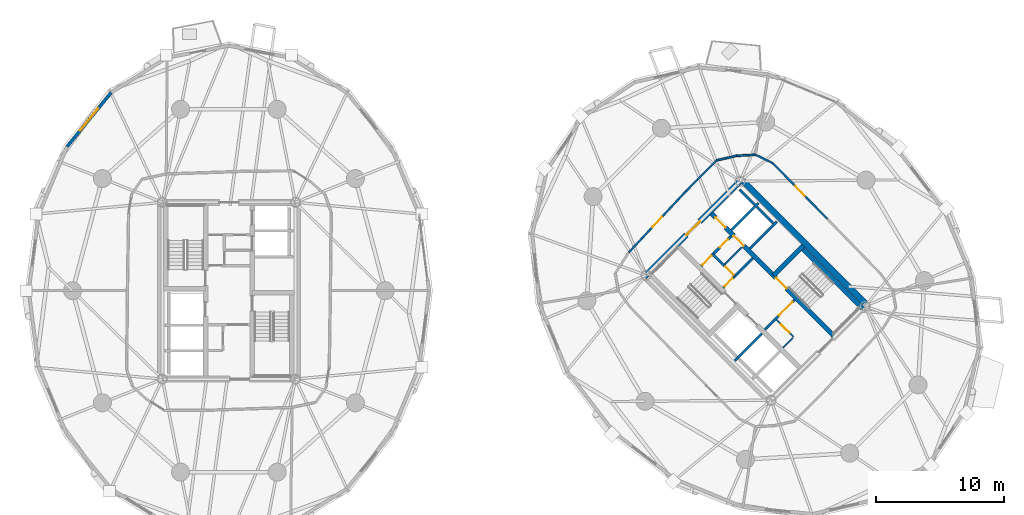
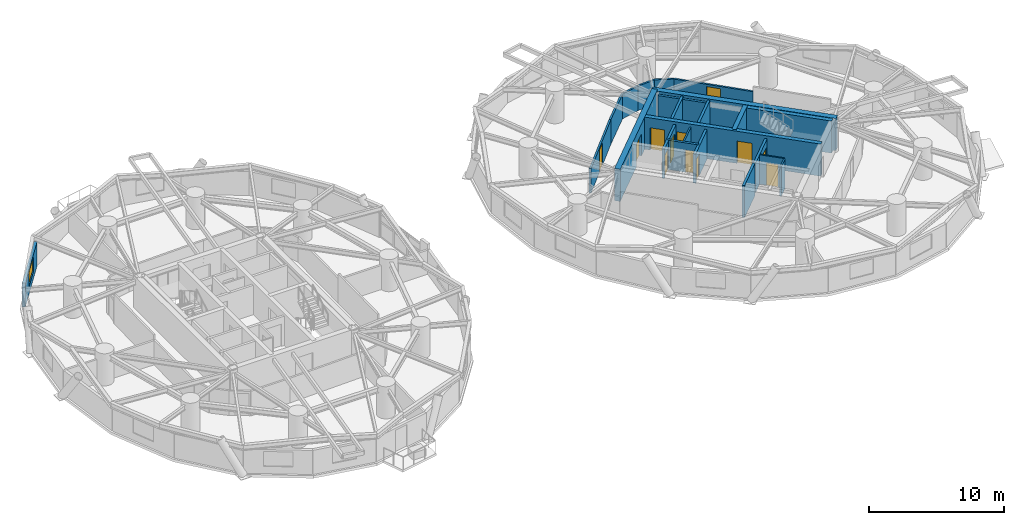
# One storey, part 13 of 18: 24 walls, 12 doors, 1 window, 13 openings.
"""IFC4 building model written with IfcOpenShell, lengths in metres."""

from ifc_helpers import new_model, si_unit, direction, frame, frame_2d, origin, place, context, subcontext, project, spatial, rectangle, extrude, source, transform, mapped, material, layer, layer_set, type_object, element, fill, save


model = new_model("IFC4")

# Units and contexts
model_context = context("Model", 3, precision=1e-05, world=origin(), true_north=direction((0.0, 1.0)))
body_context = subcontext(model_context, "Body", "Model", "MODEL_VIEW")
ifc_project = project(units=[si_unit("LENGTHUNIT", "METRE"), si_unit("AREAUNIT", "SQUARE_METRE"), si_unit("VOLUMEUNIT", "CUBIC_METRE"), si_unit("PLANEANGLEUNIT", "RADIAN"), si_unit("MASSUNIT", "GRAM", prefix="KILO")], contexts=[model_context])

# Site, building, storey
site_placement = place(None, origin())
site = spatial("IfcSite", under=ifc_project, at=site_placement, CompositionType="ELEMENT")
building_placement = place(site_placement, origin())
building = spatial("IfcBuilding", under=site, at=building_placement, Name="Cununo Teusaquillo Station Towers", CompositionType="ELEMENT")
storey_placement = place(building_placement, frame((0.0, 0.0, 75.969970703125)))
storey = spatial("IfcBuildingStorey", under=building, at=storey_placement, Name="L23", CompositionType="ELEMENT", Elevation=75.969970703125)

# Walls
ifc_material_1 = material(Name="Concrete C50/60", Category="concrete")
ifc_layer_1 = layer(ifc_material_1, 0.199951171875)
ifc_layer_set_1 = layer_set([ifc_layer_1], Name="Concrete C50/60")
wall_type_1 = type_object("IfcWallType", Name="WL-CORE-200", PredefinedType="SHEAR", material=ifc_layer_set_1)
for number, where, z_axis, x_axis, name in (
    (1, (55.8876953125, 19.0693359375, 0.0), (0.0, 0.0, 1.0), (0.707106781187, 0.707106781187, 0.0), "L23 Tower B Firefighting Lift Shaft South Shear Wall"),
    (2, (57.0615234375, 27.781005859375, 0.0), (0.0, 0.0, 1.0), (0.707106781187, 0.707106781187, 0.0), "L23 Tower B Low-Rise Lift Hoistway South Shear Wall"),
):
    element("IfcWall", number, at=place(storey_placement, frame(where, z_axis=z_axis, x_axis=x_axis)), inside=storey, type_object=wall_type_1, Name=name, PredefinedType="SHEAR", context=body_context, shape_type="SweptSolid", body=[
        extrude(rectangle(XDim=2.969970703125, YDim=0.199951171875, at=frame_2d((1.48486328125, 0.0))), origin(), (0.0, 0.0, 1.0), 2.909912109375),
    ])
wall_1_placement = place(storey_placement, frame((55.615478515625, 29.22705078125, 0.0), z_axis=(0.0, 0.0, 1.0), x_axis=(0.707147878904, 0.70706568108, 0.0)))
element("IfcWall", 3, at=wall_1_placement, inside=storey, type_object=wall_type_1, Name="L23 Tower B Low-Rise Lift Hoistway Divider Shear Wall", PredefinedType="SHEAR", context=body_context, shape_type="SweptSolid", body=[
    extrude(rectangle(XDim=2.97021484375, YDim=0.199951171875, at=frame_2d((1.485107421875, 0.0))), origin(), (0.0, 0.0, 1.0), 2.909912109375),
])
wall_2_placement = place(storey_placement, frame((58.86474609375, 29.75390625, 0.0), z_axis=(0.0, 0.0, 1.0), x_axis=(-0.707174411312, 0.707039144592, 0.0)))
element("IfcWall", 4, at=wall_2_placement, inside=storey, type_object=wall_type_1, Name="L23 Tower B Low-Rise Lift 1 Shaft Rear Shear Wall", PredefinedType="SHEAR", context=body_context, shape_type="SweptSolid", body=[
    extrude(rectangle(XDim=1.804931640625, YDim=0.199951171875, at=frame_2d((0.90234375, 0.0))), origin(), (0.0, 0.0, 1.0), 2.909912109375),
])
wall_3_placement = place(storey_placement, frame((57.418701171875, 31.19970703125, 0.0), z_axis=(0.0, 0.0, 1.0), x_axis=(-0.707032117043, 0.707181437447, 0.0)))
element("IfcWall", 5, at=wall_3_placement, inside=storey, type_object=wall_type_1, Name="L23 Tower B Low-Rise Lift 2 Shaft Rear Shear Wall", PredefinedType="SHEAR", context=body_context, shape_type="SweptSolid", body=[
    extrude(rectangle(XDim=1.635009765625, YDim=0.199951171875, at=frame_2d((0.8173828125, 0.0))), origin(), (0.0, 0.0, 1.0), 2.909912109375),
])

# Wall, openings, doors
ifc_material_2 = material(Name="Concrete C50/60", Category="concrete")
ifc_layer_2 = layer(ifc_material_2, 0.35009765625)
ifc_layer_set_2 = layer_set([ifc_layer_2], Name="Concrete C50/60")
wall_type_2 = type_object("IfcWallType", Name="WL-CORE-350", PredefinedType="SHEAR", material=ifc_layer_set_2)
wall_4_placement = place(storey_placement, frame((63.644775390625, 20.922119140625, 0.0), z_axis=(0.0, 0.0, 1.0), x_axis=(-0.707106781187, 0.707106781187, 0.0)))
wall_4 = element("IfcWall", 6, at=wall_4_placement, inside=storey, type_object=wall_type_2, Name="L23 Tower B Core Shear Wall IE", PredefinedType="SHEAR", context=body_context, shape_type="SweptSolid", body=[
    extrude(rectangle(XDim=13.75, YDim=0.35009765625, at=frame_2d((6.875, 0.0))), origin(), (0.0, 0.0, 1.0), 2.909912109375),
])
shared_shape_1 = source(origin(), body_context, "Body", "SweptSolid", [
    extrude(rectangle(XDim=1.10009765625, YDim=2.014892578125, at=frame_2d((0.550048828125, 1.00732421875))), frame((0.0, 0.18505859375, 0.0), z_axis=(0.0, -1.0, 0.0), x_axis=(1.0, 0.0, 0.0)), (0.0, 0.0, 1.0), 0.3701171875),
])
opening_1_placement = place(wall_4_placement, frame((10.0, 0.0, 0.0)))
opening_1 = element("IfcOpeningElement", 7, at=opening_1_placement, cuts=wall_4, Name="Opening LD-01", PredefinedType="OPENING", context=body_context, shape_type="MappedRepresentation", body=[
    mapped(shared_shape_1, transform((0.0, 0.0, 0.0), x_axis=(1.0, 0.0, 0.0), y_axis=(0.0, 1.0, 0.0), z_axis=(0.0, 0.0, 1.0), scale=1.0)),
])
opening_2_placement = place(wall_4_placement, frame((12.0, 0.0, 0.0)))
opening_2 = element("IfcOpeningElement", 8, at=opening_2_placement, cuts=wall_4, Name="Opening LD-01", PredefinedType="OPENING", context=body_context, shape_type="MappedRepresentation", body=[
    mapped(shared_shape_1, transform((0.0, 0.0, 0.0), x_axis=(1.0, 0.0, 0.0), y_axis=(0.0, 1.0, 0.0), z_axis=(0.0, 0.0, 1.0), scale=1.0)),
])
shared_shape_2 = source(origin(), body_context, "Body", "SweptSolid", [
    extrude(rectangle(XDim=1.14990234375, YDim=2.02001953125, at=frame_2d((0.574951171875, 1.010009765625))), frame((0.0, 0.18505859375, 0.0), z_axis=(0.0, -1.0, 0.0), x_axis=(1.0, 0.0, 0.0)), (0.0, 0.0, 1.0), 0.3701171875),
])
opening_3_placement = place(wall_4_placement, frame((5.304931640625, 0.0, 0.0)))
opening_3 = element("IfcOpeningElement", 9, at=opening_3_placement, cuts=wall_4, Name="Opening D-ST1", PredefinedType="OPENING", context=body_context, shape_type="MappedRepresentation", body=[
    mapped(shared_shape_2, transform((0.0, 0.0, 0.0), x_axis=(1.0, 0.0, 0.0), y_axis=(0.0, 1.0, 0.0), z_axis=(0.0, 0.0, 1.0), scale=1.0)),
])
ifc_material_3 = material(Name="Galvanised fire-rated hollow steel door assembly", Category="steel")
door_type_1 = type_object("IfcDoorType", Name="DR-LIFT-1100", OperationType="SLIDING_TO_LEFT", PredefinedType="DOOR", material=ifc_material_3)
shared_shape_3 = source(origin(), body_context, "Body", "SweptSolid", [
    extrude(rectangle(XDim=1.10009765625, YDim=2.014892578125, at=frame_2d((0.550048828125, 1.00732421875))), frame((0.0, 0.02490234375, 0.0), z_axis=(0.0, -1.0, 0.0), x_axis=(1.0, 0.0, 0.0)), (0.0, 0.0, 1.0), 0.050048828125),
])
door_1_placement = place(opening_1_placement, origin())
door_1 = element("IfcDoor", 10, at=door_1_placement, inside=storey, type_object=door_type_1, Name="L23 Lift PL-T2-L1 Sliding Landing Door", OperationType="SLIDING_TO_LEFT", OverallHeight=2.014892578125, OverallWidth=1.10009765625, PredefinedType="DOOR", context=body_context, shape_type="MappedRepresentation", body=[
    mapped(shared_shape_3, transform((0.0, 0.0, 0.0), x_axis=(1.0, 0.0, 0.0), y_axis=(0.0, 1.0, 0.0), z_axis=(0.0, 0.0, 1.0), scale=1.0)),
])
fill(opening_1, door_1)
door_2_placement = place(opening_2_placement, origin())
door_2 = element("IfcDoor", 11, at=door_2_placement, inside=storey, type_object=door_type_1, Name="L23 Lift PL-T2-L2 Sliding Landing Door", OperationType="SLIDING_TO_RIGHT", OverallHeight=2.014892578125, OverallWidth=1.10009765625, PredefinedType="DOOR", context=body_context, shape_type="MappedRepresentation", body=[
    mapped(shared_shape_3, transform((0.0, 0.0, 0.0), x_axis=(1.0, 0.0, 0.0), y_axis=(0.0, 1.0, 0.0), z_axis=(0.0, 0.0, 1.0), scale=1.0)),
])
fill(opening_2, door_2)
ifc_material_4 = material(Name="Galvanised fire-rated hollow steel door assembly", Category="steel")
door_type_2 = type_object("IfcDoorType", Name="DR-STAIR-1150", OperationType="NOTDEFINED", PredefinedType="DOOR", material=ifc_material_4)
shared_shape_4 = source(origin(), body_context, "Body", "SweptSolid", [
    extrude(rectangle(XDim=1.14990234375, YDim=2.02001953125, at=frame_2d((0.574951171875, 1.010009765625))), frame((0.0, 0.02490234375, 0.0), z_axis=(0.0, -1.0, 0.0), x_axis=(1.0, 0.0, 0.0)), (0.0, 0.0, 1.0), 0.050048828125),
])
door_3_placement = place(opening_3_placement, origin())
door_3 = element("IfcDoor", 12, at=door_3_placement, inside=storey, type_object=door_type_2, Name="L23 Tower B Exit Stair 2 Fire Door", OperationType="SINGLE_SWING_LEFT", OverallHeight=2.02001953125, OverallWidth=1.14990234375, PredefinedType="DOOR", context=body_context, shape_type="MappedRepresentation", body=[
    mapped(shared_shape_4, transform((0.0, 0.0, 0.0), x_axis=(1.0, 0.0, 0.0), y_axis=(0.0, 1.0, 0.0), z_axis=(0.0, 0.0, 1.0), scale=1.0)),
])
fill(opening_3, door_3)

# Walls
wall_5_placement = place(storey_placement, frame((65.82958984375, 23.10693359375, 0.0), z_axis=(0.0, 0.0, 1.0), x_axis=(-0.707088616009, 0.707124945897, 0.0)))
element("IfcWall", 13, at=wall_5_placement, inside=storey, type_object=wall_type_2, Name="L23 Tower B Core Shear Wall ST2E", PredefinedType="SHEAR", context=body_context, shape_type="SweptSolid", body=[
    extrude(rectangle(XDim=6.72021484375, YDim=0.35009765625, at=frame_2d((3.360107421875, 0.0))), origin(), (0.0, 0.0, 1.0), 2.909912109375),
])
wall_6_placement = place(storey_placement, frame((58.89306640625, 25.673828125, 0.0), z_axis=(0.0, 0.0, 1.0), x_axis=(0.707106781187, 0.707106781187, 0.0)))
element("IfcWall", 14, at=wall_6_placement, inside=storey, type_object=wall_type_2, Name="L23 Tower B Core Shear Wall ST2N", PredefinedType="SHEAR", context=body_context, shape_type="SweptSolid", body=[
    extrude(rectangle(XDim=3.284912109375, YDim=0.35009765625, at=frame_2d((1.642578125, 0.0))), origin(), (0.0, 0.0, 1.0), 2.909912109375),
])
ifc_material_5 = material(Name="Concrete C60/75", Category="concrete")
ifc_layer_3 = layer(ifc_material_5, 0.449951171875)
ifc_layer_set_3 = layer_set([ifc_layer_3], Name="Concrete C60/75")
wall_type_3 = type_object("IfcWallType", Name="WL-CORE-450", PredefinedType="SHEAR", material=ifc_layer_set_3)
wall_7_placement = place(storey_placement, frame((66.303466796875, 23.2626953125, 0.0), z_axis=(0.0, 0.0, 1.0), x_axis=(-0.707106781187, 0.707106781187, 0.0)))
element("IfcWall", 15, at=wall_7_placement, inside=storey, type_object=wall_type_3, Name="L23 Tower B Core Shear Wall E", PredefinedType="SHEAR", context=body_context, shape_type="SweptSolid", body=[
    extrude(rectangle(XDim=14.19970703125, YDim=0.449951171875, at=frame_2d((7.099853515625, 0.0))), origin(), (0.0, 0.0, 1.0), 2.909912109375),
])

# Wall, opening, door
wall_8_placement = place(storey_placement, frame((48.855712890625, 25.578369140625, 0.0), z_axis=(0.0, 0.0, 1.0), x_axis=(0.707106781187, 0.707106781187, 0.0)))
wall_8 = element("IfcWall", 16, at=wall_8_placement, inside=storey, type_object=wall_type_3, Name="L23 Tower B Core Shear Wall N", PredefinedType="SHEAR", context=body_context, shape_type="SweptSolid", body=[
    extrude(rectangle(XDim=10.69970703125, YDim=0.449951171875, at=frame_2d((5.349853515625, 0.0))), origin(), (0.0, 0.0, 1.0), 2.909912109375),
])
shared_shape_5 = source(origin(), body_context, "Body", "SweptSolid", [
    extrude(rectangle(XDim=1.5, YDim=2.02001953125, at=frame_2d((0.75, 1.010009765625))), frame((0.0, 0.23486328125, 0.0), z_axis=(0.0, -1.0, 0.0), x_axis=(1.0, 0.0, 0.0)), (0.0, 0.0, 1.0), 0.469970703125),
])
opening_4_placement = place(wall_8_placement, frame((4.60009765625, 0.0, 0.0)))
opening_4 = element("IfcOpeningElement", 17, at=opening_4_placement, cuts=wall_8, Name="Opening D-LB1", PredefinedType="OPENING", context=body_context, shape_type="MappedRepresentation", body=[
    mapped(shared_shape_5, transform((0.0, 0.0, 0.0), x_axis=(1.0, 0.0, 0.0), y_axis=(0.0, 1.0, 0.0), z_axis=(0.0, 0.0, 1.0), scale=1.0)),
])
ifc_material_6 = material(Name="Galvanised fire-rated hollow steel door assembly", Category="steel")
door_type_3 = type_object("IfcDoorType", Name="DR-LOBBY-1500", OperationType="DOUBLE_DOOR_SINGLE_SWING", PredefinedType="DOOR", material=ifc_material_6)
shared_shape_6 = source(origin(), body_context, "Body", "SweptSolid", [
    extrude(rectangle(XDim=1.5, YDim=2.02001953125, at=frame_2d((0.75, 1.010009765625))), frame((0.0, 0.02490234375, 0.0), z_axis=(0.0, -1.0, 0.0), x_axis=(1.0, 0.0, 0.0)), (0.0, 0.0, 1.0), 0.050048828125),
])
door_4_placement = place(opening_4_placement, origin())
door_4 = element("IfcDoor", 18, at=door_4_placement, inside=storey, type_object=door_type_3, Name="L23 Tower B North Core Lift Lobby Door", OperationType="DOUBLE_DOOR_SINGLE_SWING", OverallHeight=2.02001953125, OverallWidth=1.5, PredefinedType="DOOR", context=body_context, shape_type="MappedRepresentation", body=[
    mapped(shared_shape_6, transform((0.0, 0.0, 0.0), x_axis=(1.0, 0.0, 0.0), y_axis=(0.0, 1.0, 0.0), z_axis=(0.0, 0.0, 1.0), scale=1.0)),
])
fill(opening_4, door_4)

# Wall, opening, window
ifc_material_7 = material(Name="Precast concrete C40/50", Category="concrete")
ifc_layer_4 = layer(ifc_material_7, 0.239990234375)
ifc_layer_set_4 = layer_set([ifc_layer_4], Name="Precast concrete C40/50")
wall_type_4 = type_object("IfcWallType", Name="WL-EXT-240", PredefinedType="SOLIDWALL", material=ifc_layer_set_4)
wall_9_placement = place(storey_placement, frame((3.894775390625, 35.708984375, 0.0), z_axis=(0.0, 0.0, 1.0), x_axis=(0.632700781152, 0.77439635945, 0.0)))
wall_9 = element("IfcWall", 19, at=wall_9_placement, inside=storey, type_object=wall_type_4, Name="L23 Tower A Exterior Facade Wall C07", PredefinedType="SOLIDWALL", context=body_context, shape_type="SweptSolid", body=[
    extrude(rectangle(XDim=5.447998046875, YDim=0.239990234375, at=frame_2d((2.72412109375, 0.0))), origin(), (0.0, 0.0, 1.0), 2.178955078125),
])
shared_shape_7 = source(origin(), body_context, "Body", "SweptSolid", [
    extrude(rectangle(XDim=2.199951171875, YDim=1.35009765625, at=frame_2d((1.10009765625, 0.675048828125))), frame((0.0, 0.1298828125, 0.0), z_axis=(0.0, -1.0, 0.0), x_axis=(1.0, 0.0, 0.0)), (0.0, 0.0, 1.0), 0.260009765625),
])
opening_5_placement = place(wall_9_placement, frame((1.6240234375, 0.0, 0.64990234375)))
opening_5 = element("IfcOpeningElement", 20, at=opening_5_placement, cuts=wall_9, Name="Opening WN-01", PredefinedType="OPENING", context=body_context, shape_type="MappedRepresentation", body=[
    mapped(shared_shape_7, transform((0.0, 0.0, 0.0), x_axis=(1.0, 0.0, 0.0), y_axis=(0.0, 1.0, 0.0), z_axis=(0.0, 0.0, 1.0), scale=1.0)),
])
ifc_material_8 = material(Name="Ceramic-fritted dark low-E double glazing", Category="glass")
window_type = type_object("IfcWindowType", Name="WIN-FRIT-2200", PartitioningType="DOUBLE_PANEL_VERTICAL", PredefinedType="WINDOW", material=ifc_material_8)
shared_shape_8 = source(origin(), body_context, "Body", "SweptSolid", [
    extrude(rectangle(XDim=2.199951171875, YDim=1.35009765625, at=frame_2d((1.10009765625, 0.675048828125))), frame((0.0, 0.030029296875, 0.0), z_axis=(0.0, -1.0, 0.0), x_axis=(1.0, 0.0, 0.0)), (0.0, 0.0, 1.0), 0.06005859375),
])
window_placement = place(opening_5_placement, origin())
window = element("IfcWindow", 21, at=window_placement, inside=storey, type_object=window_type, Name="L23 Tower A Facade Window C07", OverallHeight=1.35009765625, OverallWidth=2.199951171875, PartitioningType="DOUBLE_PANEL_VERTICAL", PredefinedType="WINDOW", context=body_context, shape_type="MappedRepresentation", body=[
    mapped(shared_shape_8, transform((0.0, 0.0, 0.0), x_axis=(1.0, 0.0, 0.0), y_axis=(0.0, 1.0, 0.0), z_axis=(0.0, 0.0, 1.0), scale=1.0)),
])
fill(opening_5, window)

# Wall, opening, door
ifc_material_9 = material(Name="Fire-rated gypsum plasterboard partition assembly", Category="gypsum")
ifc_layer_5 = layer(ifc_material_9, 0.125)
ifc_layer_set_5 = layer_set([ifc_layer_5], Name="Fire-rated gypsum plasterboard partition assembly")
wall_type_5 = type_object("IfcWallType", Name="WL-PART-125", PredefinedType="PARTITIONING", material=ifc_layer_set_5)
wall_10_placement = place(storey_placement, frame((60.448486328125, 20.9150390625, 0.0), z_axis=(0.0, 0.0, 1.0), x_axis=(-0.707106781187, 0.707106781187, 0.0)))
wall_10 = element("IfcWall", 22, at=wall_10_placement, inside=storey, type_object=wall_type_5, Name="L23 Tower B North-West Lobby Store East Wall", PredefinedType="PARTITIONING", context=body_context, shape_type="SweptSolid", body=[
    extrude(rectangle(XDim=1.869873046875, YDim=0.125, at=frame_2d((0.93505859375, 0.0))), origin(), (0.0, 0.0, 1.0), 2.655029296875),
])
shared_shape_9 = source(origin(), body_context, "Body", "SweptSolid", [
    extrude(rectangle(XDim=0.89990234375, YDim=2.0048828125, at=frame_2d((0.449951171875, 1.00244140625))), frame((0.0, 0.072509765625, 0.0), z_axis=(0.0, -1.0, 0.0), x_axis=(1.0, 0.0, 0.0)), (0.0, 0.0, 1.0), 0.14501953125),
])
opening_6_placement = place(wall_10_placement, frame((0.449951171875, 0.0, 0.0)))
opening_6 = element("IfcOpeningElement", 23, at=opening_6_placement, cuts=wall_10, Name="Opening D-SR1", PredefinedType="OPENING", context=body_context, shape_type="MappedRepresentation", body=[
    mapped(shared_shape_9, transform((0.0, 0.0, 0.0), x_axis=(1.0, 0.0, 0.0), y_axis=(0.0, 1.0, 0.0), z_axis=(0.0, 0.0, 1.0), scale=1.0)),
])
ifc_material_10 = material(Name="Galvanised fire-rated hollow steel door assembly", Category="steel")
door_type_4 = type_object("IfcDoorType", Name="DR-STORE-900", OperationType="NOTDEFINED", PredefinedType="DOOR", material=ifc_material_10)
shared_shape_10 = source(origin(), body_context, "Body", "SweptSolid", [
    extrude(rectangle(XDim=0.89990234375, YDim=2.0048828125, at=frame_2d((0.449951171875, 1.00244140625))), frame((0.0, 0.02490234375, 0.0), z_axis=(0.0, -1.0, 0.0), x_axis=(1.0, 0.0, 0.0)), (0.0, 0.0, 1.0), 0.050048828125),
])
door_5_placement = place(opening_6_placement, origin())
door_5 = element("IfcDoor", 24, at=door_5_placement, inside=storey, type_object=door_type_4, Name="L23 Tower B South Lobby Data Store Door", OperationType="SINGLE_SWING_RIGHT", OverallHeight=2.0048828125, OverallWidth=0.89990234375, PredefinedType="DOOR", context=body_context, shape_type="MappedRepresentation", body=[
    mapped(shared_shape_10, transform((0.0, 0.0, 0.0), x_axis=(1.0, 0.0, 0.0), y_axis=(0.0, 1.0, 0.0), z_axis=(0.0, 0.0, 1.0), scale=1.0)),
])
fill(opening_6, door_5)

# Walls
wall_11_placement = place(storey_placement, frame((59.642578125, 20.06640625, 0.0), z_axis=(0.0, 0.0, 1.0), x_axis=(0.707106781187, 0.707106781187, 0.0)))
element("IfcWall", 25, at=wall_11_placement, inside=storey, type_object=wall_type_5, Name="L23 Tower B North-West Lobby Store South Wall", PredefinedType="PARTITIONING", context=body_context, shape_type="SweptSolid", body=[
    extrude(rectangle(XDim=1.10009765625, YDim=0.125, at=frame_2d((0.550048828125, 0.0))), origin(), (0.0, 0.0, 1.0), 2.655029296875),
])
wall_12_placement = place(storey_placement, frame((55.0888671875, 26.54345703125, 0.0), z_axis=(0.0, 0.0, 1.0), x_axis=(0.707106781187, 0.707106781187, 0.0)))
element("IfcWall", 26, at=wall_12_placement, inside=storey, type_object=wall_type_5, Name="L23 Tower B Core Horizontal Split Wall", PredefinedType="PARTITIONING", context=body_context, shape_type="SweptSolid", body=[
    extrude(rectangle(XDim=1.8798828125, YDim=0.125, at=frame_2d((0.93994140625, 0.0))), origin(), (0.0, 0.0, 1.0), 2.655029296875),
])

# Wall, opening, door
ifc_material_11 = material(Name="Fire-rated gypsum plasterboard partition assembly", Category="gypsum")
ifc_layer_6 = layer(ifc_material_11, 0.14990234375)
ifc_layer_set_6 = layer_set([ifc_layer_6], Name="Fire-rated gypsum plasterboard partition assembly")
wall_type_6 = type_object("IfcWallType", Name="WL-PART-150", PredefinedType="PARTITIONING", material=ifc_layer_set_6)
wall_13_placement = place(storey_placement, frame((63.086181640625, 30.086181640625, 0.0), z_axis=(0.0, 0.0, 1.0), x_axis=(-0.699032802832, 0.715089603172, 0.0)))
wall_13 = element("IfcWall", 27, at=wall_13_placement, inside=storey, type_object=wall_type_6, Name="L23 Tower B Corridor Ring Wall C00", PredefinedType="PARTITIONING", context=body_context, shape_type="SweptSolid", body=[
    extrude(rectangle(XDim=6.08203125, YDim=0.14990234375, at=frame_2d((3.041015625, 0.0))), origin(), (0.0, 0.0, 1.0), 2.22509765625),
])
shared_shape_11 = source(origin(), body_context, "Body", "SweptSolid", [
    extrude(rectangle(XDim=1.050048828125, YDim=2.014892578125, at=frame_2d((0.52490234375, 1.00732421875))), frame((0.0, 0.0849609375, 0.0), z_axis=(0.0, -1.0, 0.0), x_axis=(1.0, 0.0, 0.0)), (0.0, 0.0, 1.0), 0.169921875),
])
opening_7_placement = place(wall_13_placement, frame((2.51611328125, 0.0, 0.0)))
opening_7 = element("IfcOpeningElement", 28, at=opening_7_placement, cuts=wall_13, Name="Opening D-SU1", PredefinedType="OPENING", context=body_context, shape_type="MappedRepresentation", body=[
    mapped(shared_shape_11, transform((0.0, 0.0, 0.0), x_axis=(1.0, 0.0, 0.0), y_axis=(0.0, 1.0, 0.0), z_axis=(0.0, 0.0, 1.0), scale=1.0)),
])
ifc_material_12 = material(Name="Acoustic solid-core hardwood leaf assembly", Category="wood")
door_type_5 = type_object("IfcDoorType", Name="DR-SUITE-1050", OperationType="NOTDEFINED", PredefinedType="DOOR", material=ifc_material_12)
shared_shape_12 = source(origin(), body_context, "Body", "SweptSolid", [
    extrude(rectangle(XDim=1.050048828125, YDim=2.014892578125, at=frame_2d((0.52490234375, 1.00732421875))), frame((0.0, 0.02490234375, 0.0), z_axis=(0.0, -1.0, 0.0), x_axis=(1.0, 0.0, 0.0)), (0.0, 0.0, 1.0), 0.050048828125),
])
door_6_placement = place(opening_7_placement, origin())
door_6 = element("IfcDoor", 29, at=door_6_placement, inside=storey, type_object=door_type_5, Name="L23 Tower B North Open-Plan Corporate Landscape Office Entrance Door", OperationType="SINGLE_SWING_RIGHT", OverallHeight=2.014892578125, OverallWidth=1.050048828125, PredefinedType="DOOR", context=body_context, shape_type="MappedRepresentation", body=[
    mapped(shared_shape_12, transform((0.0, 0.0, 0.0), x_axis=(1.0, 0.0, 0.0), y_axis=(0.0, 1.0, 0.0), z_axis=(0.0, 0.0, 1.0), scale=1.0)),
])
fill(opening_7, door_6)

# Walls
wall_14_placement = place(storey_placement, frame((58.834716796875, 34.435302734375, 0.0), z_axis=(0.0, 0.0, 1.0), x_axis=(-0.900352167336, 0.4351620098, 0.0)))
element("IfcWall", 30, at=wall_14_placement, inside=storey, type_object=wall_type_6, Name="L23 Tower B Corridor Ring Wall C01", PredefinedType="PARTITIONING", context=body_context, shape_type="SweptSolid", body=[
    extrude(rectangle(XDim=1.48779296875, YDim=0.14990234375, at=frame_2d((0.743896484375, 0.0))), origin(), (0.0, 0.0, 1.0), 2.22509765625),
])
wall_15_placement = place(storey_placement, frame((57.4951171875, 35.082763671875, 0.0), z_axis=(0.0, 0.0, 1.0), x_axis=(-0.998536503254, -0.054081897798, 0.0)))
element("IfcWall", 31, at=wall_15_placement, inside=storey, type_object=wall_type_6, Name="L23 Tower B Corridor Ring Wall C02", PredefinedType="PARTITIONING", context=body_context, shape_type="SweptSolid", body=[
    extrude(rectangle(XDim=1.480712890625, YDim=0.14990234375, at=frame_2d((0.740234375, 0.0))), origin(), (0.0, 0.0, 1.0), 2.22509765625),
])
wall_16_placement = place(storey_placement, frame((56.0166015625, 35.002685546875, 0.0), z_axis=(0.0, 0.0, 1.0), x_axis=(-0.974924954781, -0.222533890777, 0.0)))
element("IfcWall", 32, at=wall_16_placement, inside=storey, type_object=wall_type_6, Name="L23 Tower B Corridor Ring Wall C03", PredefinedType="PARTITIONING", context=body_context, shape_type="SweptSolid", body=[
    extrude(rectangle(XDim=1.59521484375, YDim=0.14990234375, at=frame_2d((0.797607421875, 0.0))), origin(), (0.0, 0.0, 1.0), 2.22509765625),
])
wall_17_placement = place(storey_placement, frame((54.46142578125, 34.647705078125, 0.0), z_axis=(0.0, 0.0, 1.0), x_axis=(-0.70403409755, -0.710166170334, 0.0)))
element("IfcWall", 33, at=wall_17_placement, inside=storey, type_object=wall_type_6, Name="L23 Tower B Corridor Ring Wall C04", PredefinedType="PARTITIONING", context=body_context, shape_type="SweptSolid", body=[
    extrude(rectangle(XDim=3.38427734375, YDim=0.14990234375, at=frame_2d((1.692138671875, 0.0))), origin(), (0.0, 0.0, 1.0), 2.22509765625),
])

# Wall, opening, door
wall_18_placement = place(storey_placement, frame((52.078857421875, 32.244384765625, 0.0), z_axis=(0.0, 0.0, 1.0), x_axis=(-0.682703325574, -0.730695674854, 0.0)))
wall_18 = element("IfcWall", 34, at=wall_18_placement, inside=storey, type_object=wall_type_6, Name="L23 Tower B Corridor Ring Wall C05", PredefinedType="PARTITIONING", context=body_context, shape_type="SweptSolid", body=[
    extrude(rectangle(XDim=6.526611328125, YDim=0.14990234375, at=frame_2d((3.26318359375, 0.0))), origin(), (0.0, 0.0, 1.0), 2.22509765625),
])
opening_8_placement = place(wall_18_placement, frame((2.73828125, 0.0, 0.0)))
opening_8 = element("IfcOpeningElement", 35, at=opening_8_placement, cuts=wall_18, Name="Opening D-SU1", PredefinedType="OPENING", context=body_context, shape_type="MappedRepresentation", body=[
    mapped(shared_shape_11, transform((0.0, 0.0, 0.0), x_axis=(1.0, 0.0, 0.0), y_axis=(0.0, 1.0, 0.0), z_axis=(0.0, 0.0, 1.0), scale=1.0)),
])
door_7_placement = place(opening_8_placement, origin())
door_7 = element("IfcDoor", 36, at=door_7_placement, inside=storey, type_object=door_type_5, Name="L23 Tower B West Project Collaboration Hub Entrance Door", OperationType="SINGLE_SWING_LEFT", OverallHeight=2.014892578125, OverallWidth=1.050048828125, PredefinedType="DOOR", context=body_context, shape_type="MappedRepresentation", body=[
    mapped(shared_shape_12, transform((0.0, 0.0, 0.0), x_axis=(1.0, 0.0, 0.0), y_axis=(0.0, 1.0, 0.0), z_axis=(0.0, 0.0, 1.0), scale=1.0)),
])
fill(opening_8, door_7)

ifc_material_13 = material(Name="Fire-rated gypsum plasterboard partition assembly", Category="gypsum")
ifc_layer_7 = layer(ifc_material_13, 0.199951171875)
ifc_layer_set_7 = layer_set([ifc_layer_7], Name="Fire-rated gypsum plasterboard partition assembly")
wall_type_7 = type_object("IfcWallType", Name="WL-PART-200", PredefinedType="PARTITIONING", material=ifc_layer_set_7)
wall_19_placement = place(storey_placement, frame((58.214111328125, 21.466552734375, 0.0), z_axis=(0.0, 0.0, 1.0), x_axis=(0.707106781187, 0.707106781187, 0.0)))
wall_19 = element("IfcWall", 37, at=wall_19_placement, inside=storey, type_object=wall_type_7, Name="L23 Tower B Firefighting Lift Lobby South Fire Wall", PredefinedType="PARTITIONING", context=body_context, shape_type="SweptSolid", body=[
    extrude(rectangle(XDim=3.280029296875, YDim=0.199951171875, at=frame_2d((1.64013671875, 0.0))), origin(), (0.0, 0.0, 1.0), 2.655029296875),
])
shared_shape_13 = source(origin(), body_context, "Body", "SweptSolid", [
    extrude(rectangle(XDim=1.5, YDim=2.02001953125, at=frame_2d((0.75, 1.010009765625))), frame((0.0, 0.10986328125, 0.0), z_axis=(0.0, -1.0, 0.0), x_axis=(1.0, 0.0, 0.0)), (0.0, 0.0, 1.0), 0.219970703125),
])
opening_9_placement = place(wall_19_placement, frame((1.550048828125, 0.0, 0.0)))
opening_9 = element("IfcOpeningElement", 38, at=opening_9_placement, cuts=wall_19, Name="Opening D-LB1", PredefinedType="OPENING", context=body_context, shape_type="MappedRepresentation", body=[
    mapped(shared_shape_13, transform((0.0, 0.0, 0.0), x_axis=(1.0, 0.0, 0.0), y_axis=(0.0, 1.0, 0.0), z_axis=(0.0, 0.0, 1.0), scale=1.0)),
])
door_8_placement = place(opening_9_placement, origin())
door_8 = element("IfcDoor", 39, at=door_8_placement, inside=storey, type_object=door_type_3, Name="L23 Tower B Firefighting Lift Lobby South Fire Door", OperationType="DOUBLE_DOOR_SINGLE_SWING", OverallHeight=2.02001953125, OverallWidth=1.5, PredefinedType="DOOR", context=body_context, shape_type="MappedRepresentation", body=[
    mapped(shared_shape_6, transform((0.0, 0.0, 0.0), x_axis=(1.0, 0.0, 0.0), y_axis=(0.0, 1.0, 0.0), z_axis=(0.0, 0.0, 1.0), scale=1.0)),
])
fill(opening_9, door_8)

wall_20_placement = place(storey_placement, frame((54.96142578125, 24.71923828125, 0.0), z_axis=(0.0, 0.0, 1.0), x_axis=(0.707106781187, 0.707106781187, 0.0)))
wall_20 = element("IfcWall", 40, at=wall_20_placement, inside=storey, type_object=wall_type_7, Name="L23 Tower B Firefighting Lift Lobby North Fire Wall", PredefinedType="PARTITIONING", context=body_context, shape_type="SweptSolid", body=[
    extrude(rectangle(XDim=3.280029296875, YDim=0.199951171875, at=frame_2d((1.64013671875, 0.0))), origin(), (0.0, 0.0, 1.0), 2.655029296875),
])
shared_shape_14 = source(origin(), body_context, "Body", "SweptSolid", [
    extrude(rectangle(XDim=0.89990234375, YDim=2.0048828125, at=frame_2d((0.449951171875, 1.00244140625))), frame((0.0, 0.10986328125, 0.0), z_axis=(0.0, -1.0, 0.0), x_axis=(1.0, 0.0, 0.0)), (0.0, 0.0, 1.0), 0.219970703125),
])
opening_10_placement = place(wall_20_placement, frame((0.159912109375, 0.0, 0.0)))
opening_10 = element("IfcOpeningElement", 41, at=opening_10_placement, cuts=wall_20, Name="Opening D-SR1", PredefinedType="OPENING", context=body_context, shape_type="MappedRepresentation", body=[
    mapped(shared_shape_14, transform((0.0, 0.0, 0.0), x_axis=(1.0, 0.0, 0.0), y_axis=(0.0, 1.0, 0.0), z_axis=(0.0, 0.0, 1.0), scale=1.0)),
])
door_9_placement = place(opening_10_placement, origin())
door_9 = element("IfcDoor", 42, at=door_9_placement, inside=storey, type_object=door_type_4, Name="L23 Tower B Stair 1 Protected Vestibule South Door", OperationType="SINGLE_SWING_RIGHT", OverallHeight=2.0048828125, OverallWidth=0.89990234375, PredefinedType="DOOR", context=body_context, shape_type="MappedRepresentation", body=[
    mapped(shared_shape_10, transform((0.0, 0.0, 0.0), x_axis=(1.0, 0.0, 0.0), y_axis=(0.0, 1.0, 0.0), z_axis=(0.0, 0.0, 1.0), scale=1.0)),
])
fill(opening_10, door_9)

wall_21_placement = place(storey_placement, frame((55.873779296875, 25.63134765625, 0.0), z_axis=(0.0, 0.0, 1.0), x_axis=(-0.707157639372, 0.707055919343, 0.0)))
wall_21 = element("IfcWall", 43, at=wall_21_placement, inside=storey, type_object=wall_type_7, Name="L23 Tower B Stair 1 Vestibule Partition Wall", PredefinedType="PARTITIONING", context=body_context, shape_type="SweptSolid", body=[
    extrude(rectangle(XDim=2.400146484375, YDim=0.199951171875, at=frame_2d((1.2001953125, 0.0))), origin(), (0.0, 0.0, 1.0), 2.655029296875),
])
opening_11_placement = place(wall_21_placement, frame((0.139892578125, 0.0, 0.0)))
opening_11 = element("IfcOpeningElement", 44, at=opening_11_placement, cuts=wall_21, Name="Opening D-SR1", PredefinedType="OPENING", context=body_context, shape_type="MappedRepresentation", body=[
    mapped(shared_shape_14, transform((0.0, 0.0, 0.0), x_axis=(1.0, 0.0, 0.0), y_axis=(0.0, 1.0, 0.0), z_axis=(0.0, 0.0, 1.0), scale=1.0)),
])
door_10_placement = place(opening_11_placement, origin())
door_10 = element("IfcDoor", 45, at=door_10_placement, inside=storey, type_object=door_type_4, Name="L23 Tower B Core Linen Store Door", OperationType="SINGLE_SWING_LEFT", OverallHeight=2.0048828125, OverallWidth=0.89990234375, PredefinedType="DOOR", context=body_context, shape_type="MappedRepresentation", body=[
    mapped(shared_shape_10, transform((0.0, 0.0, 0.0), x_axis=(1.0, 0.0, 0.0), y_axis=(0.0, 1.0, 0.0), z_axis=(0.0, 0.0, 1.0), scale=1.0)),
])
fill(opening_11, door_10)

# Wall, openings, doors
wall_22_placement = place(storey_placement, frame((53.264404296875, 26.416259765625, 0.0), z_axis=(0.0, 0.0, 1.0), x_axis=(0.707106781187, 0.707106781187, 0.0)))
wall_22 = element("IfcWall", 46, at=wall_22_placement, inside=storey, type_object=wall_type_7, Name="L23 Tower B North Lift Lobby South Fire Wall", PredefinedType="PARTITIONING", context=body_context, shape_type="SweptSolid", body=[
    extrude(rectangle(XDim=3.280029296875, YDim=0.199951171875, at=frame_2d((1.64013671875, 0.0))), origin(), (0.0, 0.0, 1.0), 2.655029296875),
])
shared_shape_15 = source(origin(), body_context, "Body", "SweptSolid", [
    extrude(rectangle(XDim=1.0, YDim=2.014892578125, at=frame_2d((0.5, 1.00732421875))), frame((0.0, 0.10986328125, 0.0), z_axis=(0.0, -1.0, 0.0), x_axis=(1.0, 0.0, 0.0)), (0.0, 0.0, 1.0), 0.219970703125),
])
opening_12_placement = place(wall_22_placement, frame((0.139892578125, 0.0, 0.0)))
opening_12 = element("IfcOpeningElement", 47, at=opening_12_placement, cuts=wall_22, Name="Opening D-AC1", PredefinedType="OPENING", context=body_context, shape_type="MappedRepresentation", body=[
    mapped(shared_shape_15, transform((0.0, 0.0, 0.0), x_axis=(1.0, 0.0, 0.0), y_axis=(0.0, 1.0, 0.0), z_axis=(0.0, 0.0, 1.0), scale=1.0)),
])
opening_13_placement = place(wall_22_placement, frame((2.050048828125, 0.0, 0.0)))
opening_13 = element("IfcOpeningElement", 48, at=opening_13_placement, cuts=wall_22, Name="Opening D-SR1", PredefinedType="OPENING", context=body_context, shape_type="MappedRepresentation", body=[
    mapped(shared_shape_14, transform((0.0, 0.0, 0.0), x_axis=(1.0, 0.0, 0.0), y_axis=(0.0, 1.0, 0.0), z_axis=(0.0, 0.0, 1.0), scale=1.0)),
])
door_11_placement = place(opening_13_placement, origin())
door_11 = element("IfcDoor", 49, at=door_11_placement, inside=storey, type_object=door_type_4, Name="L23 Tower B Core Comms Room Door", OperationType="SINGLE_SWING_RIGHT", OverallHeight=2.0048828125, OverallWidth=0.89990234375, PredefinedType="DOOR", context=body_context, shape_type="MappedRepresentation", body=[
    mapped(shared_shape_10, transform((0.0, 0.0, 0.0), x_axis=(1.0, 0.0, 0.0), y_axis=(0.0, 1.0, 0.0), z_axis=(0.0, 0.0, 1.0), scale=1.0)),
])
fill(opening_13, door_11)
ifc_material_14 = material(Name="Acoustic solid-core hardwood leaf assembly", Category="wood")
door_type_6 = type_object("IfcDoorType", Name="DR-ACC-1000", OperationType="NOTDEFINED", PredefinedType="DOOR", material=ifc_material_14)
shared_shape_16 = source(origin(), body_context, "Body", "SweptSolid", [
    extrude(rectangle(XDim=1.0, YDim=2.014892578125, at=frame_2d((0.5, 1.00732421875))), frame((0.0, 0.02490234375, 0.0), z_axis=(0.0, -1.0, 0.0), x_axis=(1.0, 0.0, 0.0)), (0.0, 0.0, 1.0), 0.050048828125),
])
door_12_placement = place(opening_12_placement, origin())
door_12 = element("IfcDoor", 50, at=door_12_placement, inside=storey, type_object=door_type_6, Name="L23 Tower B North Lift Lobby to Stair 1 Vestibule Door", OperationType="SINGLE_SWING_LEFT", OverallHeight=2.014892578125, OverallWidth=1.0, PredefinedType="DOOR", context=body_context, shape_type="MappedRepresentation", body=[
    mapped(shared_shape_16, transform((0.0, 0.0, 0.0), x_axis=(1.0, 0.0, 0.0), y_axis=(0.0, 1.0, 0.0), z_axis=(0.0, 0.0, 1.0), scale=1.0)),
])
fill(opening_12, door_12)

save(model, "model.ifc")
